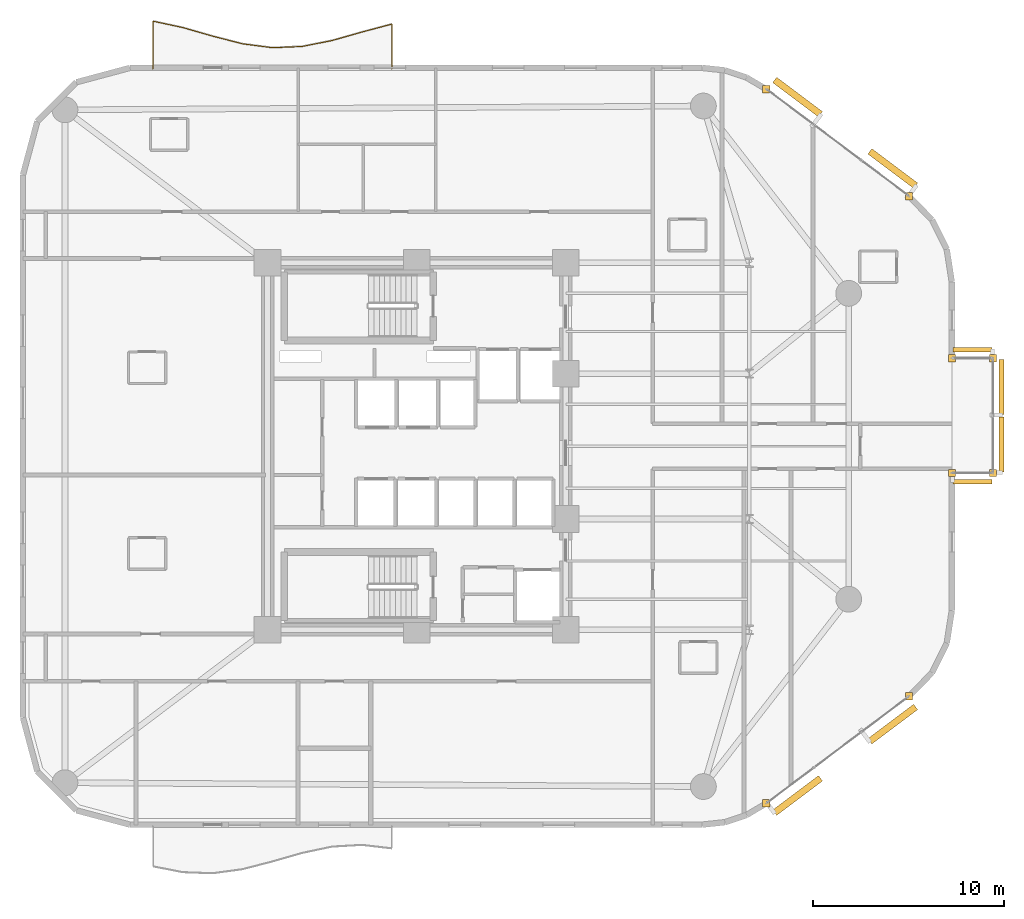
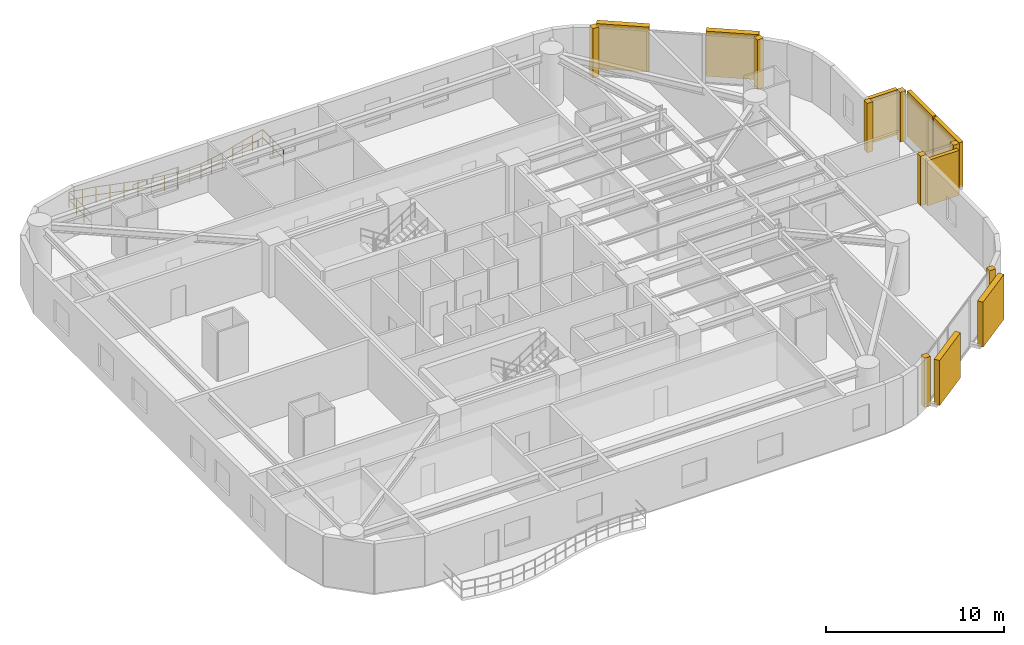
# One storey, part 14 of 14: 8 coverings, 8 shading devices, 1 railing.
"""IFC4 building model written with IfcOpenShell, lengths in metres."""

from ifc_helpers import new_model, si_unit, direction, frame, origin, origin_2d, place, context, subcontext, project, spatial, rectangle, circle, extrude, material, layer, layer_set, type_object, element, save


model = new_model("IFC4")

# Units and contexts
model_context = context("Model", 3, precision=1e-05, world=origin(), true_north=direction((0.0, 1.0)))
body_context = subcontext(model_context, "Body", "Model", "MODEL_VIEW")
ifc_project = project(units=[si_unit("LENGTHUNIT", "METRE"), si_unit("AREAUNIT", "SQUARE_METRE"), si_unit("VOLUMEUNIT", "CUBIC_METRE"), si_unit("PLANEANGLEUNIT", "RADIAN"), si_unit("MASSUNIT", "GRAM", prefix="KILO")], contexts=[model_context])

# Site, building, storey
site_placement = place(None, origin())
site = spatial("IfcSite", under=ifc_project, at=site_placement, CompositionType="ELEMENT")
building_placement = place(site_placement, origin())
building = spatial("IfcBuilding", under=site, at=building_placement, Name="An Khanh Terracotta Commons", CompositionType="ELEMENT")
storey_placement = place(building_placement, frame((0.0, 0.0, 93.5)))
storey = spatial("IfcBuildingStorey", under=building, at=storey_placement, Name="L24", CompositionType="ELEMENT", Elevation=93.5)

# Coverings
ifc_material_1 = material(Name="Fired Terracotta Rainscreen Cladding", Category="masonry")
ifc_layer = layer(ifc_material_1, 0.080078125, Name="Fired Terracotta Rainscreen Cladding")
ifc_layer_set = layer_set([ifc_layer], Name="Fired Terracotta Rainscreen Cladding")
covering_type = type_object("IfcCoveringType", Name="COV-JAMB-TERRA", PredefinedType="CLADDING", material=ifc_layer_set)
for number, where, z_axis, x_axis, name in (
    (1, (47.693115234375, 5.320068359375, 0.0), (0.0, 0.0, 1.0), (1.0, 0.0, 0.0), "L24 CW-02 Curtain-Wall Jamb Closure JA"),
    (2, (55.159912109375, 10.919921875, 0.0), (0.0, 0.0, 1.0), (1.0, 0.0, 0.0), "L24 CW-02 Curtain-Wall Jamb Closure JB"),
    (3, (59.550048828125, 22.60009765625, 0.0), (0.0, 0.0, 1.0), (1.0, 0.0, 0.0), "L24 CW-04 Curtain-Wall Jamb Closure JA"),
    (4, (59.550048828125, 28.60009765625, 0.0), (0.0, 0.0, 1.0), (1.0, 0.0, 0.0), "L24 CW-04 Curtain-Wall Jamb Closure JB"),
    (5, (57.39990234375, 22.60009765625, 0.0), (0.0, 0.0, 1.0), (1.0, 0.0, 0.0), "L24 CW-04 Curtain-Wall Jamb Closure JA"),
    (6, (57.39990234375, 28.60009765625, 0.0), (0.0, 0.0, 1.0), (1.0, 0.0, 0.0), "L24 CW-04 Curtain-Wall Jamb Closure JB"),
    (7, (55.159912109375, 37.080078125, 0.0), (0.0, 0.0, 1.0), (1.0, 0.0, 0.0), "L24 CW-02 Curtain-Wall Jamb Closure JA"),
    (8, (47.693115234375, 42.679931640625, 0.0), (0.0, 0.0, 1.0), (1.0, 0.0, 0.0), "L24 CW-02 Curtain-Wall Jamb Closure JB"),
):
    element("IfcCovering", number, at=place(storey_placement, frame(where, z_axis=z_axis, x_axis=x_axis)), inside=storey, type_object=covering_type, Name=name, PredefinedType="CLADDING", context=body_context, shape_type="SweptSolid", body=[
        extrude(rectangle(XDim=0.3798828125, YDim=0.3798828125, at=origin_2d()), origin(), (0.0, 0.0, 1.0), 3.39990234375),
    ])

# Railing
ifc_material_2 = material(Name="Brushed Stainless Steel 316", Category="steel")
railing_type = type_object("IfcRailingType", Name="RAIL-BALUSTRADE-1100", PredefinedType="BALUSTRADE", material=ifc_material_2)
railing_placement = place(storey_placement, frame((28.10009765625, 43.739990234375, 0.0)))
element("IfcRailing", 9, at=railing_placement, inside=storey, type_object=railing_type, Name="L24 N Wave Balcony Guard Balustrade", PredefinedType="BALUSTRADE", context=body_context, shape_type="SweptSolid", body=[
    extrude(circle(Radius=0.02392578125, at=origin_2d()), frame((0.0, 0.0, 1.076171875), z_axis=(0.0, 1.0, 0.0), x_axis=(-1.0, 0.0, 0.0)), (0.0, 0.0, 1.0), 2.344970703125),
    extrude(circle(Radius=0.02392578125, at=origin_2d()), frame((0.0, 0.0, 0.52587890625), z_axis=(0.0, 1.0, 0.0), x_axis=(-1.0, 0.0, 0.0)), (0.0, 0.0, 1.0), 2.344970703125),
    extrude(circle(Radius=0.02392578125, at=origin_2d()), frame((0.0, 2.344970703125, 1.076171875), z_axis=(-0.966465212691, -0.256797571362, 0.0), x_axis=(0.256797571362, -0.966465212691, 0.0)), (0.0, 0.0, 1.0), 1.6162109375),
    extrude(circle(Radius=0.02392578125, at=origin_2d()), frame((0.0, 2.344970703125, 0.52587890625), z_axis=(-0.966465212691, -0.256797571362, 0.0), x_axis=(0.256797571362, -0.966465212691, 0.0)), (0.0, 0.0, 1.0), 1.6162109375),
    extrude(circle(Radius=0.02392578125, at=origin_2d()), frame((-1.56201171875, 1.929931640625, 1.076171875), z_axis=(-0.961964976531, -0.273172809643, 0.0), x_axis=(0.273172809643, -0.961964976531, 0.0)), (0.0, 0.0, 1.0), 1.624755859375),
    extrude(circle(Radius=0.02392578125, at=origin_2d()), frame((-1.56201171875, 1.929931640625, 0.52587890625), z_axis=(-0.961964976531, -0.273172809643, 0.0), x_axis=(0.273172809643, -0.961964976531, 0.0)), (0.0, 0.0, 1.0), 1.624755859375),
    extrude(circle(Radius=0.02392578125, at=origin_2d()), frame((-3.125, 1.486083984375, 1.076171875), z_axis=(-0.980745409162, -0.195290661343, 0.0), x_axis=(0.195290661343, -0.980745409162, 0.0)), (0.0, 0.0, 1.0), 1.5927734375),
    extrude(circle(Radius=0.02392578125, at=origin_2d()), frame((-3.125, 1.486083984375, 0.52587890625), z_axis=(-0.980745409162, -0.195290661343, 0.0), x_axis=(0.195290661343, -0.980745409162, 0.0)), (0.0, 0.0, 1.0), 1.5927734375),
    extrude(circle(Radius=0.02392578125, at=origin_2d()), frame((-4.68701171875, 1.175048828125, 1.076171875), z_axis=(-0.999137934886, -0.041513697388, 0.0), x_axis=(0.041513697388, -0.999137934886, 0.0)), (0.0, 0.0, 1.0), 1.564453125),
    extrude(circle(Radius=0.02392578125, at=origin_2d()), frame((-4.68701171875, 1.175048828125, 0.52587890625), z_axis=(-0.999137934886, -0.041513697388, 0.0), x_axis=(0.041513697388, -0.999137934886, 0.0)), (0.0, 0.0, 1.0), 1.564453125),
    extrude(circle(Radius=0.02392578125, at=origin_2d()), frame((-6.25, 1.110107421875, 1.076171875), z_axis=(-0.991511168272, 0.13002154895, 0.0), x_axis=(-0.13002154895, -0.991511168272, 0.0)), (0.0, 0.0, 1.0), 1.575439453125),
    extrude(circle(Radius=0.02392578125, at=origin_2d()), frame((-6.25, 1.110107421875, 0.52587890625), z_axis=(-0.991511168272, 0.13002154895, 0.0), x_axis=(-0.13002154895, -0.991511168272, 0.0)), (0.0, 0.0, 1.0), 1.575439453125),
    extrude(circle(Radius=0.02392578125, at=origin_2d()), frame((-7.81201171875, 1.31494140625, 1.076171875), z_axis=(-0.968610642135, 0.248582831151, 0.0), x_axis=(-0.248582831151, -0.968610642135, 0.0)), (0.0, 0.0, 1.0), 1.613525390625),
    extrude(circle(Radius=0.02392578125, at=origin_2d()), frame((-7.81201171875, 1.31494140625, 0.52587890625), z_axis=(-0.968610642135, 0.248582831151, 0.0), x_axis=(-0.248582831151, -0.968610642135, 0.0)), (0.0, 0.0, 1.0), 1.613525390625),
    extrude(circle(Radius=0.02392578125, at=origin_2d()), frame((-9.375, 1.716064453125, 1.076171875), z_axis=(-0.961086255424, 0.27624845635, 0.0), x_axis=(-0.27624845635, -0.961086255424, 0.0)), (0.0, 0.0, 1.0), 1.625244140625),
    extrude(circle(Radius=0.02392578125, at=origin_2d()), frame((-9.375, 1.716064453125, 0.52587890625), z_axis=(-0.961086255424, 0.27624845635, 0.0), x_axis=(-0.27624845635, -0.961086255424, 0.0)), (0.0, 0.0, 1.0), 1.625244140625),
    extrude(circle(Radius=0.02392578125, at=origin_2d()), frame((-10.93701171875, 2.1650390625, 1.076171875), z_axis=(-0.977797943615, 0.209549949803, 0.0), x_axis=(-0.209549949803, -0.977797943615, 0.0)), (0.0, 0.0, 1.0), 1.598388671875),
    extrude(circle(Radius=0.02392578125, at=origin_2d()), frame((-10.93701171875, 2.1650390625, 0.52587890625), z_axis=(-0.977797943615, 0.209549949803, 0.0), x_axis=(-0.209549949803, -0.977797943615, 0.0)), (0.0, 0.0, 1.0), 1.598388671875),
    extrude(circle(Radius=0.02392578125, at=origin_2d()), frame((-12.5, 2.5, 1.076171875), z_axis=(0.0, -1.0, 0.0), x_axis=(1.0, 0.0, 0.0)), (0.0, 0.0, 1.0), 2.5),
    extrude(circle(Radius=0.02392578125, at=origin_2d()), frame((-12.5, 2.5, 0.52587890625), z_axis=(0.0, -1.0, 0.0), x_axis=(1.0, 0.0, 0.0)), (0.0, 0.0, 1.0), 2.5),
    extrude(circle(Radius=0.02099609375, at=origin_2d()), origin(), (0.0, 0.0, 1.0), 1.052001953125),
    extrude(circle(Radius=0.02099609375, at=origin_2d()), frame((0.0, 1.17236328125, 0.0)), (0.0, 0.0, 1.0), 1.052001953125),
    extrude(circle(Radius=0.02099609375, at=origin_2d()), frame((0.0, 2.344970703125, 0.0)), (0.0, 0.0, 1.0), 1.052001953125),
    extrude(circle(Radius=0.02099609375, at=origin_2d()), frame((-0.781005859375, 2.137451171875, 0.0)), (0.0, 0.0, 1.0), 1.052001953125),
    extrude(circle(Radius=0.02099609375, at=origin_2d()), frame((-1.56201171875, 1.929931640625, 0.0)), (0.0, 0.0, 1.0), 1.052001953125),
    extrude(circle(Radius=0.02099609375, at=origin_2d()), frame((-2.343505859375, 1.7080078125, 0.0)), (0.0, 0.0, 1.0), 1.052001953125),
    extrude(circle(Radius=0.02099609375, at=origin_2d()), frame((-3.125, 1.486083984375, 0.0)), (0.0, 0.0, 1.0), 1.052001953125),
    extrude(circle(Radius=0.02099609375, at=origin_2d()), frame((-3.906005859375, 1.33056640625, 0.0)), (0.0, 0.0, 1.0), 1.052001953125),
    extrude(circle(Radius=0.02099609375, at=origin_2d()), frame((-4.68701171875, 1.175048828125, 0.0)), (0.0, 0.0, 1.0), 1.052001953125),
    extrude(circle(Radius=0.02099609375, at=origin_2d()), frame((-5.468505859375, 1.142578125, 0.0)), (0.0, 0.0, 1.0), 1.052001953125),
    extrude(circle(Radius=0.02099609375, at=origin_2d()), frame((-6.25, 1.110107421875, 0.0)), (0.0, 0.0, 1.0), 1.052001953125),
    extrude(circle(Radius=0.02099609375, at=origin_2d()), frame((-7.031005859375, 1.21240234375, 0.0)), (0.0, 0.0, 1.0), 1.052001953125),
    extrude(circle(Radius=0.02099609375, at=origin_2d()), frame((-7.81201171875, 1.31494140625, 0.0)), (0.0, 0.0, 1.0), 1.052001953125),
    extrude(circle(Radius=0.02099609375, at=origin_2d()), frame((-8.593505859375, 1.515625, 0.0)), (0.0, 0.0, 1.0), 1.052001953125),
    extrude(circle(Radius=0.02099609375, at=origin_2d()), frame((-9.375, 1.716064453125, 0.0)), (0.0, 0.0, 1.0), 1.052001953125),
    extrude(circle(Radius=0.02099609375, at=origin_2d()), frame((-10.156005859375, 1.9404296875, 0.0)), (0.0, 0.0, 1.0), 1.052001953125),
    extrude(circle(Radius=0.02099609375, at=origin_2d()), frame((-10.93701171875, 2.1650390625, 0.0)), (0.0, 0.0, 1.0), 1.052001953125),
    extrude(circle(Radius=0.02099609375, at=origin_2d()), frame((-11.718505859375, 2.33251953125, 0.0)), (0.0, 0.0, 1.0), 1.052001953125),
    extrude(circle(Radius=0.02099609375, at=origin_2d()), frame((-12.5, 2.5, 0.0)), (0.0, 0.0, 1.0), 1.052001953125),
    extrude(circle(Radius=0.02099609375, at=origin_2d()), frame((-12.5, 1.666748046875, 0.0)), (0.0, 0.0, 1.0), 1.052001953125),
    extrude(circle(Radius=0.02099609375, at=origin_2d()), frame((-12.5, 0.833251953125, 0.0)), (0.0, 0.0, 1.0), 1.052001953125),
    extrude(circle(Radius=0.02099609375, at=origin_2d()), frame((-12.5, 0.0, 0.0)), (0.0, 0.0, 1.0), 1.052001953125),
])

# Shading devices
ifc_material_3 = material(Name="Warm Hardwood Timber-Finish Aluminium", Category="wood")
shading_device_type_1 = type_object("IfcShadingDeviceType", Name="Shifted Box Timber-Toned Louvre Screen", PredefinedType="USERDEFINED", material=ifc_material_3)
for number, where, z_axis, x_axis, name in (
    (10, (60.0, 24.10009765625, 0.14990234375), (0.0, 0.0, 1.0), (0.0, 1.0, 0.0), "L24 Louvre Screen 1"),
    (11, (60.0, 27.10009765625, 0.14990234375), (0.0, 0.0, 1.0), (0.0, 1.0, 0.0), "L24 Louvre Screen 2"),
):
    element("IfcShadingDevice", number, at=place(storey_placement, frame(where, z_axis=z_axis, x_axis=x_axis)), inside=storey, type_object=shading_device_type_1, Name=name, ObjectType="LOUVRE", PredefinedType="USERDEFINED", context=body_context, shape_type="SweptSolid", body=[
        extrude(rectangle(XDim=2.8798828125, YDim=0.25, at=origin_2d()), origin(), (0.0, 0.0, 1.0), 3.10009765625),
    ])
for number, where, z_axis, x_axis, name in (
    (12, (58.47509765625, 22.14990234375, 0.14990234375), (0.0, 0.0, 1.0), (1.0, 0.0, 0.0), "L24 Louvre Screen 1"),
    (13, (58.47509765625, 29.050048828125, 0.14990234375), (0.0, 0.0, 1.0), (-1.0, 0.0, 0.0), "L24 Louvre Screen 1"),
):
    element("IfcShadingDevice", number, at=place(storey_placement, frame(where, z_axis=z_axis, x_axis=x_axis)), inside=storey, type_object=shading_device_type_1, Name=name, ObjectType="LOUVRE", PredefinedType="USERDEFINED", context=body_context, shape_type="SweptSolid", body=[
        extrude(rectangle(XDim=2.030029296875, YDim=0.25, at=origin_2d()), origin(), (0.0, 0.0, 1.0), 3.10009765625),
    ])
ifc_material_4 = material(Name="Extruded Fired Terracotta", Category="masonry")
shading_device_type_2 = type_object("IfcShadingDeviceType", Name="Terracotta Baguette Screen Assembly", PredefinedType="USERDEFINED", material=ifc_material_4)
for number, where, z_axis, x_axis, name in (
    (14, (49.326904296875, 5.73291015625, 0.14990234375), (0.0, 0.0, 1.0), (0.800012856594, 0.599982857492, 0.0), "L24 Terracotta Baguette Screen 1"),
    (15, (54.304931640625, 9.467041015625, 0.14990234375), (0.0, 0.0, 1.0), (0.800012856594, 0.599982857492, 0.0), "L24 Terracotta Baguette Screen 3"),
    (16, (54.304931640625, 38.532958984375, 0.14990234375), (0.0, 0.0, 1.0), (-0.800012856594, 0.599982857492, 0.0), "L24 Terracotta Baguette Screen 1"),
    (17, (49.326904296875, 42.26708984375, 0.14990234375), (0.0, 0.0, 1.0), (-0.800012856594, 0.599982857492, 0.0), "L24 Terracotta Baguette Screen 3"),
):
    element("IfcShadingDevice", number, at=place(storey_placement, frame(where, z_axis=z_axis, x_axis=x_axis)), inside=storey, type_object=shading_device_type_2, Name=name, ObjectType="BAGUETTE", PredefinedType="USERDEFINED", context=body_context, shape_type="SweptSolid", body=[
        extrude(rectangle(XDim=2.990966796875, YDim=0.35009765625, at=origin_2d()), origin(), (0.0, 0.0, 1.0), 3.10009765625),
    ])

save(model, "model.ifc")
